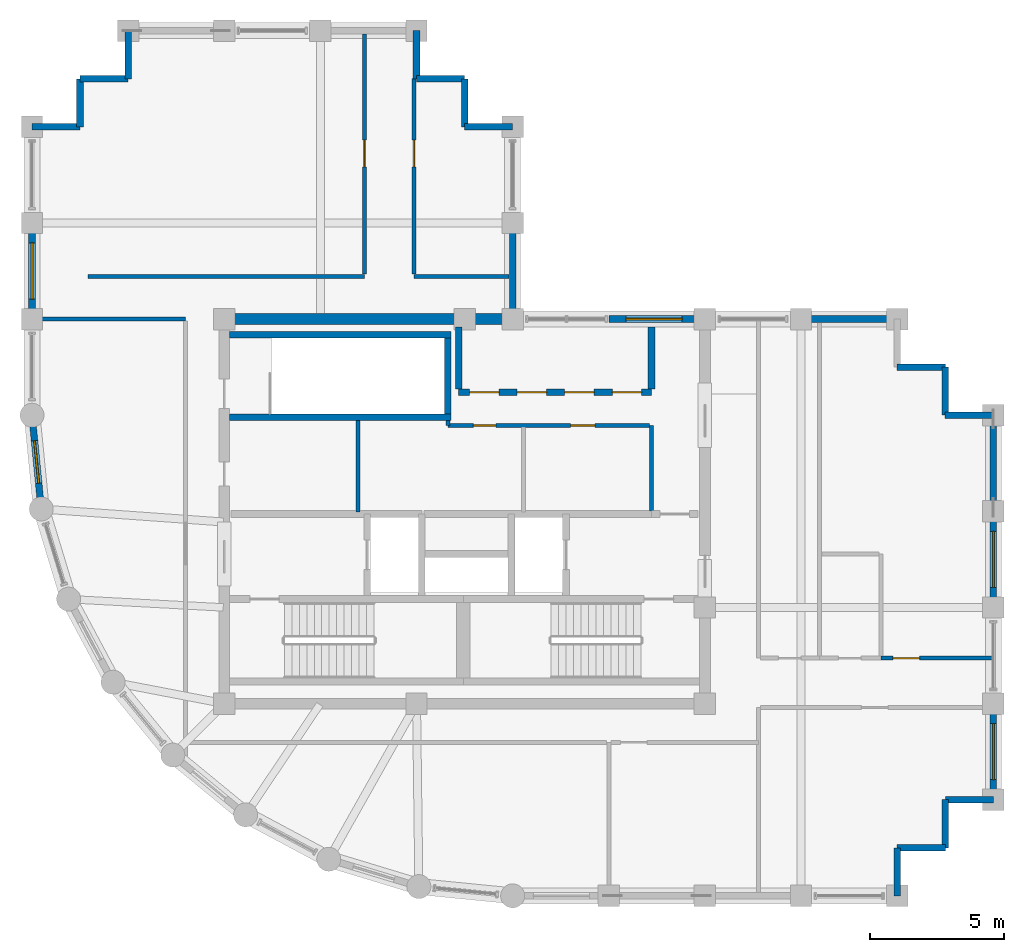
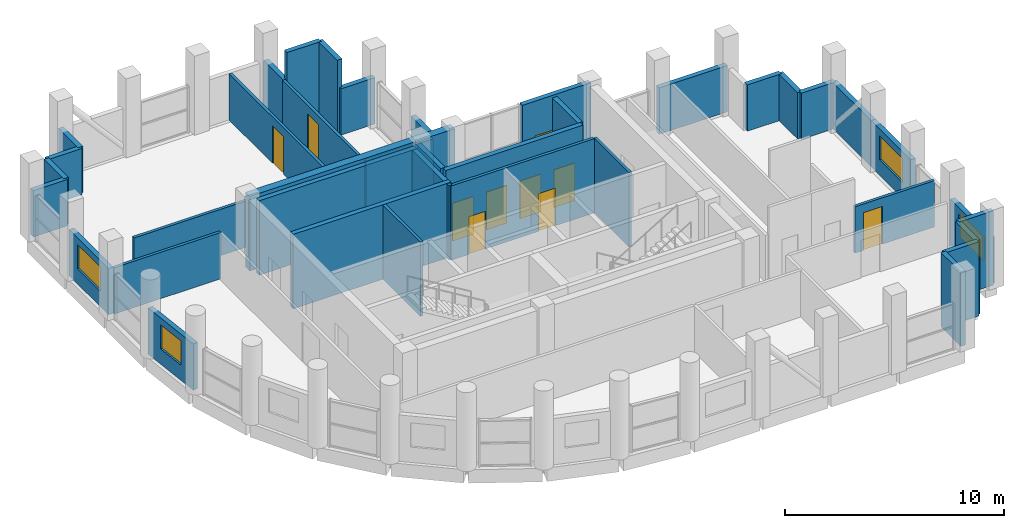
# One storey, part 12 of 14: 40 walls, 9 doors, 5 windows, 14 openings.
"""IFC4 building model written with IfcOpenShell, lengths in metres."""

from ifc_helpers import new_model, si_unit, direction, frame, frame_2d, origin, place, context, subcontext, project, spatial, rectangle, extrude, material, layer, layer_set, type_object, element, fill, save


model = new_model("IFC4")

# Units and contexts
model_context = context("Model", 3, precision=1e-05, world=origin(), true_north=direction((0.0, 1.0)))
body_context = subcontext(model_context, "Body", "Model", "MODEL_VIEW")
ifc_project = project(units=[si_unit("LENGTHUNIT", "METRE"), si_unit("AREAUNIT", "SQUARE_METRE"), si_unit("VOLUMEUNIT", "CUBIC_METRE"), si_unit("PLANEANGLEUNIT", "RADIAN"), si_unit("MASSUNIT", "GRAM", prefix="KILO")], contexts=[model_context])

# Site, building, storey
site_placement = place(None, origin())
site = spatial("IfcSite", under=ifc_project, at=site_placement, CompositionType="ELEMENT")
building_placement = place(site_placement, origin())
building = spatial("IfcBuilding", under=site, at=building_placement, Name="Solnavia Interchange Tower", CompositionType="ELEMENT")
storey_placement = place(building_placement, frame((0.0, 0.0, 299.800048828125)))
storey = spatial("IfcBuildingStorey", under=building, at=storey_placement, Name="L76", CompositionType="ELEMENT", Elevation=299.800048828125)

# Walls
ifc_material_1 = material(Name="Concrete C40/50", Category="concrete")
ifc_layer_1 = layer(ifc_material_1, 0.25)
ifc_layer_set_1 = layer_set([ifc_layer_1], Name="Concrete C40/50")
wall_type_1 = type_object("IfcWallType", Name="Wall-ExtSpandrel-250", PredefinedType="STANDARD", material=ifc_layer_set_1)
for number, where, z_axis, x_axis, name in (
    (1, (39.60009765625, 5.39990234375, 0.0), (0.0, 0.0, 1.0), (0.0, -1.0, 0.0), "EXW-L76-05 Exterior precast spandrel wall"),
    (2, (41.39990234375, 5.39990234375, 0.0), (0.0, 0.0, 1.0), (-1.0, 0.0, 0.0), "EXW-L76-06 Exterior precast spandrel wall"),
):
    element("IfcWall", number, at=place(storey_placement, frame(where, z_axis=z_axis, x_axis=x_axis)), inside=storey, type_object=wall_type_1, Name=name, PredefinedType="STANDARD", context=body_context, shape_type="SweptSolid", body=[
        extrude(rectangle(XDim=1.7998046875, YDim=0.25, at=frame_2d((0.89990234375, 0.0))), origin(), (0.0, 0.0, 1.0), 4.135009765625),
    ])
for number, where, z_axis, x_axis, name in (
    (3, (41.39990234375, 7.199951171875, 0.0), (0.0, 0.0, 1.0), (0.0, -1.0, 0.0), "EXW-L76-07 Exterior precast spandrel wall"),
    (4, (43.199951171875, 7.199951171875, 0.0), (0.0, 0.0, 1.0), (-1.0, 0.0, 0.0), "EXW-L76-08 Exterior precast spandrel wall"),
):
    element("IfcWall", number, at=place(storey_placement, frame(where, z_axis=z_axis, x_axis=x_axis)), inside=storey, type_object=wall_type_1, Name=name, PredefinedType="STANDARD", context=body_context, shape_type="SweptSolid", body=[
        extrude(rectangle(XDim=1.800048828125, YDim=0.25, at=frame_2d((0.89990234375, 0.0))), origin(), (0.0, 0.0, 1.0), 4.135009765625),
    ])

# Wall, opening, window
wall_1_placement = place(storey_placement, frame((43.199951171875, 10.800048828125, 0.0), z_axis=(0.0, 0.0, 1.0), x_axis=(0.0, -1.0, 0.0)))
wall_1 = element("IfcWall", 5, at=wall_1_placement, inside=storey, type_object=wall_type_1, Name="EXW-L76-09 Exterior precast spandrel wall", PredefinedType="STANDARD", context=body_context, shape_type="SweptSolid", body=[
    extrude(rectangle(XDim=3.60009765625, YDim=0.25, at=frame_2d((1.800048828125, 0.0))), origin(), (0.0, 0.0, 1.0), 2.579833984375),
])
opening_1_placement = place(wall_1_placement, frame((0.75, 0.0, 0.85009765625)))
opening_1 = element("IfcOpeningElement", 6, at=opening_1_placement, cuts=wall_1, Name="Opening WIN-01", PredefinedType="OPENING", context=body_context, shape_type="SweptSolid", body=[
    extrude(rectangle(XDim=2.10009765625, YDim=1.35009765625, at=frame_2d((1.050048828125, 0.675048828125))), frame((0.0, 0.135009765625, 0.0), z_axis=(0.0, -1.0, 0.0), x_axis=(1.0, 0.0, 0.0)), (0.0, 0.0, 1.0), 0.27001953125),
])
ifc_material_2 = material(Name="Thermal-Break Aluminium & Low-E Glass", Category="aluminium")
window_type_1 = type_object("IfcWindowType", Name="Window-Ribbon-2100x1350", PartitioningType="SINGLE_PANEL", PredefinedType="WINDOW", material=ifc_material_2)
window_1_placement = place(opening_1_placement, origin())
window_1 = element("IfcWindow", 7, at=window_1_placement, inside=storey, type_object=window_type_1, Name="WIN-L76-09 Facade ribbon window", OverallHeight=1.35009765625, OverallWidth=2.10009765625, PartitioningType="SINGLE_PANEL", PredefinedType="WINDOW", context=body_context, shape_type="SweptSolid", body=[
    extrude(rectangle(XDim=2.10009765625, YDim=1.35009765625, at=frame_2d((1.050048828125, 0.675048828125))), frame((0.0, 0.030029296875, 0.0), z_axis=(0.0, -1.0, 0.0), x_axis=(1.0, 0.0, 0.0)), (0.0, 0.0, 1.0), 0.06005859375),
])
fill(opening_1, window_1)

wall_2_placement = place(storey_placement, frame((43.199951171875, 18.0, 0.0), z_axis=(0.0, 0.0, 1.0), x_axis=(0.0, -1.0, 0.0)))
wall_2 = element("IfcWall", 8, at=wall_2_placement, inside=storey, type_object=wall_type_1, Name="EXW-L76-11 Exterior precast spandrel wall", PredefinedType="STANDARD", context=body_context, shape_type="SweptSolid", body=[
    extrude(rectangle(XDim=3.60009765625, YDim=0.25, at=frame_2d((1.800048828125, 0.0))), origin(), (0.0, 0.0, 1.0), 2.579833984375),
])
opening_2_placement = place(wall_2_placement, frame((0.75, 0.0, 0.85009765625)))
opening_2 = element("IfcOpeningElement", 9, at=opening_2_placement, cuts=wall_2, Name="Opening WIN-01", PredefinedType="OPENING", context=body_context, shape_type="SweptSolid", body=[
    extrude(rectangle(XDim=2.10009765625, YDim=1.35009765625, at=frame_2d((1.050048828125, 0.675048828125))), frame((0.0, 0.135009765625, 0.0), z_axis=(0.0, -1.0, 0.0), x_axis=(1.0, 0.0, 0.0)), (0.0, 0.0, 1.0), 0.27001953125),
])
window_2_placement = place(opening_2_placement, origin())
window_2 = element("IfcWindow", 10, at=window_2_placement, inside=storey, type_object=window_type_1, Name="WIN-L76-11 Facade ribbon window", OverallHeight=1.35009765625, OverallWidth=2.10009765625, PartitioningType="SINGLE_PANEL", PredefinedType="WINDOW", context=body_context, shape_type="SweptSolid", body=[
    extrude(rectangle(XDim=2.10009765625, YDim=1.35009765625, at=frame_2d((1.050048828125, 0.675048828125))), frame((0.0, 0.030029296875, 0.0), z_axis=(0.0, -1.0, 0.0), x_axis=(1.0, 0.0, 0.0)), (0.0, 0.0, 1.0), 0.06005859375),
])
fill(opening_2, window_2)

# Walls
wall_3_placement = place(storey_placement, frame((43.199951171875, 21.60009765625, 0.0), z_axis=(0.0, 0.0, 1.0), x_axis=(0.0, -1.0, 0.0)))
element("IfcWall", 11, at=wall_3_placement, inside=storey, type_object=wall_type_1, Name="EXW-L76-12 Exterior precast spandrel wall", PredefinedType="STANDARD", context=body_context, shape_type="SweptSolid", body=[
    extrude(rectangle(XDim=3.60009765625, YDim=0.25, at=frame_2d((1.800048828125, 0.0))), origin(), (0.0, 0.0, 1.0), 2.579833984375),
])
wall_4_placement = place(storey_placement, frame((41.39990234375, 21.60009765625, 0.0), z_axis=(0.0, 0.0, 1.0), x_axis=(1.0, 0.0, 0.0)))
element("IfcWall", 12, at=wall_4_placement, inside=storey, type_object=wall_type_1, Name="EXW-L76-13 Exterior precast spandrel wall", PredefinedType="STANDARD", context=body_context, shape_type="SweptSolid", body=[
    extrude(rectangle(XDim=1.800048828125, YDim=0.25, at=frame_2d((0.89990234375, 0.0))), origin(), (0.0, 0.0, 1.0), 2.579833984375),
])
for number, where, z_axis, x_axis, name in (
    (13, (41.39990234375, 23.39990234375, 0.0), (0.0, 0.0, 1.0), (0.0, -1.0, 0.0), "EXW-L76-14 Exterior precast spandrel wall"),
    (14, (39.60009765625, 23.39990234375, 0.0), (0.0, 0.0, 1.0), (1.0, 0.0, 0.0), "EXW-L76-15 Exterior precast spandrel wall"),
):
    element("IfcWall", number, at=place(storey_placement, frame(where, z_axis=z_axis, x_axis=x_axis)), inside=storey, type_object=wall_type_1, Name=name, PredefinedType="STANDARD", context=body_context, shape_type="SweptSolid", body=[
        extrude(rectangle(XDim=1.7998046875, YDim=0.25, at=frame_2d((0.89990234375, 0.0))), origin(), (0.0, 0.0, 1.0), 2.579833984375),
    ])
wall_5_placement = place(storey_placement, frame((36.0, 25.199951171875, 0.0), z_axis=(0.0, 0.0, 1.0), x_axis=(1.0, 0.0, 0.0)))
element("IfcWall", 15, at=wall_5_placement, inside=storey, type_object=wall_type_1, Name="EXW-L76-17 Exterior precast spandrel wall", PredefinedType="STANDARD", context=body_context, shape_type="SweptSolid", body=[
    extrude(rectangle(XDim=3.60009765625, YDim=0.25, at=frame_2d((1.800048828125, 0.0))), origin(), (0.0, 0.0, 1.0), 2.579833984375),
])

# Wall, opening, window
wall_6_placement = place(storey_placement, frame((28.800048828125, 25.199951171875, 0.0), z_axis=(0.0, 0.0, 1.0), x_axis=(1.0, 0.0, 0.0)))
wall_6 = element("IfcWall", 16, at=wall_6_placement, inside=storey, type_object=wall_type_1, Name="EXW-L76-19 Exterior precast spandrel wall", PredefinedType="STANDARD", context=body_context, shape_type="SweptSolid", body=[
    extrude(rectangle(XDim=3.599853515625, YDim=0.25, at=frame_2d((1.7998046875, 0.0))), origin(), (0.0, 0.0, 1.0), 4.135009765625),
])
opening_3_placement = place(wall_6_placement, frame((0.64501953125, 0.0, 0.85009765625)))
opening_3 = element("IfcOpeningElement", 17, at=opening_3_placement, cuts=wall_6, Name="Opening WIN-01", PredefinedType="OPENING", context=body_context, shape_type="SweptSolid", body=[
    extrude(rectangle(XDim=2.10009765625, YDim=1.35009765625, at=frame_2d((1.050048828125, 0.675048828125))), frame((0.0, 0.135009765625, 0.0), z_axis=(0.0, -1.0, 0.0), x_axis=(1.0, 0.0, 0.0)), (0.0, 0.0, 1.0), 0.27001953125),
])
window_3_placement = place(opening_3_placement, origin())
window_3 = element("IfcWindow", 18, at=window_3_placement, inside=storey, type_object=window_type_1, Name="WIN-L76-19 Facade ribbon window", OverallHeight=1.35009765625, OverallWidth=2.10009765625, PartitioningType="SINGLE_PANEL", PredefinedType="WINDOW", context=body_context, shape_type="SweptSolid", body=[
    extrude(rectangle(XDim=2.10009765625, YDim=1.35009765625, at=frame_2d((1.050048828125, 0.675048828125))), frame((0.0, 0.030029296875, 0.0), z_axis=(0.0, -1.0, 0.0), x_axis=(1.0, 0.0, 0.0)), (0.0, 0.0, 1.0), 0.06005859375),
])
fill(opening_3, window_3)

# Walls
wall_7_placement = place(storey_placement, frame((25.199951171875, 28.800048828125, 0.0), z_axis=(0.0, 0.0, 1.0), x_axis=(0.0, -1.0, 0.0)))
element("IfcWall", 19, at=wall_7_placement, inside=storey, type_object=wall_type_1, Name="EXW-L76-21 Exterior precast spandrel wall", PredefinedType="STANDARD", context=body_context, shape_type="SweptSolid", body=[
    extrude(rectangle(XDim=3.60009765625, YDim=0.25, at=frame_2d((1.800048828125, 0.0))), origin(), (0.0, 0.0, 1.0), 2.579833984375),
])
wall_8_placement = place(storey_placement, frame((23.39990234375, 32.39990234375, 0.0), z_axis=(0.0, 0.0, 1.0), x_axis=(1.0, 0.0, 0.0)))
element("IfcWall", 20, at=wall_8_placement, inside=storey, type_object=wall_type_1, Name="EXW-L76-23 Exterior precast spandrel wall", PredefinedType="STANDARD", context=body_context, shape_type="SweptSolid", body=[
    extrude(rectangle(XDim=1.800048828125, YDim=0.25, at=frame_2d((0.89990234375, 0.0))), origin(), (0.0, 0.0, 1.0), 2.579833984375),
])
wall_9_placement = place(storey_placement, frame((23.39990234375, 32.39990234375, 0.0), z_axis=(0.0, 0.0, 1.0), x_axis=(0.0, 1.0, 0.0)))
element("IfcWall", 21, at=wall_9_placement, inside=storey, type_object=wall_type_1, Name="EXW-L76-24 Exterior precast spandrel wall", PredefinedType="STANDARD", context=body_context, shape_type="SweptSolid", body=[
    extrude(rectangle(XDim=1.800048828125, YDim=0.25, at=frame_2d((0.89990234375, 0.0))), origin(), (0.0, 0.0, 1.0), 4.135009765625),
])
wall_10_placement = place(storey_placement, frame((21.60009765625, 34.199951171875, 0.0), z_axis=(0.0, 0.0, 1.0), x_axis=(1.0, 0.0, 0.0)))
element("IfcWall", 22, at=wall_10_placement, inside=storey, type_object=wall_type_1, Name="EXW-L76-25 Exterior precast spandrel wall", PredefinedType="STANDARD", context=body_context, shape_type="SweptSolid", body=[
    extrude(rectangle(XDim=1.7998046875, YDim=0.25, at=frame_2d((0.89990234375, 0.0))), origin(), (0.0, 0.0, 1.0), 4.135009765625),
])
for number, where, z_axis, x_axis, name in (
    (23, (21.60009765625, 34.199951171875, 0.0), (0.0, 0.0, 1.0), (0.0, 1.0, 0.0), "EXW-L76-26 Exterior precast spandrel wall"),
    (24, (10.800048828125, 34.199951171875, 0.0), (0.0, 0.0, 1.0), (0.0, 1.0, 0.0), "EXW-L76-30 Exterior precast spandrel wall"),
    (25, (9.0, 34.199951171875, 0.0), (0.0, 0.0, 1.0), (1.0, 0.0, 0.0), "EXW-L76-31 Exterior precast spandrel wall"),
    (26, (9.0, 32.39990234375, 0.0), (0.0, 0.0, 1.0), (0.0, 1.0, 0.0), "EXW-L76-32 Exterior precast spandrel wall"),
    (27, (7.199951171875, 32.39990234375, 0.0), (0.0, 0.0, 1.0), (1.0, 0.0, 0.0), "EXW-L76-33 Exterior precast spandrel wall"),
):
    element("IfcWall", number, at=place(storey_placement, frame(where, z_axis=z_axis, x_axis=x_axis)), inside=storey, type_object=wall_type_1, Name=name, PredefinedType="STANDARD", context=body_context, shape_type="SweptSolid", body=[
        extrude(rectangle(XDim=1.800048828125, YDim=0.25, at=frame_2d((0.89990234375, 0.0))), origin(), (0.0, 0.0, 1.0), 2.579833984375),
    ])

# Wall, opening, window
wall_11_placement = place(storey_placement, frame((7.199951171875, 25.199951171875, 0.0), z_axis=(0.0, 0.0, 1.0), x_axis=(0.0, 1.0, 0.0)))
wall_11 = element("IfcWall", 28, at=wall_11_placement, inside=storey, type_object=wall_type_1, Name="EXW-L76-35 Exterior precast spandrel wall", PredefinedType="STANDARD", context=body_context, shape_type="SweptSolid", body=[
    extrude(rectangle(XDim=3.60009765625, YDim=0.25, at=frame_2d((1.800048828125, 0.0))), origin(), (0.0, 0.0, 1.0), 2.579833984375),
])
opening_4_placement = place(wall_11_placement, frame((0.75, 0.0, 0.85009765625)))
opening_4 = element("IfcOpeningElement", 29, at=opening_4_placement, cuts=wall_11, Name="Opening WIN-01", PredefinedType="OPENING", context=body_context, shape_type="SweptSolid", body=[
    extrude(rectangle(XDim=2.10009765625, YDim=1.35009765625, at=frame_2d((1.050048828125, 0.675048828125))), frame((0.0, 0.135009765625, 0.0), z_axis=(0.0, -1.0, 0.0), x_axis=(1.0, 0.0, 0.0)), (0.0, 0.0, 1.0), 0.27001953125),
])
window_4_placement = place(opening_4_placement, origin())
window_4 = element("IfcWindow", 30, at=window_4_placement, inside=storey, type_object=window_type_1, Name="WIN-L76-35 Facade ribbon window", OverallHeight=1.35009765625, OverallWidth=2.10009765625, PartitioningType="SINGLE_PANEL", PredefinedType="WINDOW", context=body_context, shape_type="SweptSolid", body=[
    extrude(rectangle(XDim=2.10009765625, YDim=1.35009765625, at=frame_2d((1.050048828125, 0.675048828125))), frame((0.0, 0.030029296875, 0.0), z_axis=(0.0, -1.0, 0.0), x_axis=(1.0, 0.0, 0.0)), (0.0, 0.0, 1.0), 0.06005859375),
])
fill(opening_4, window_4)

wall_12_placement = place(storey_placement, frame((7.5458984375, 18.087890625, 0.0), z_axis=(0.0, 0.0, 1.0), x_axis=(-0.09802417461, 0.995184033831, 0.0)))
wall_12 = element("IfcWall", 31, at=wall_12_placement, inside=storey, type_object=wall_type_1, Name="EXW-L76-37 Exterior precast spandrel wall", PredefinedType="STANDARD", context=body_context, shape_type="SweptSolid", body=[
    extrude(rectangle(XDim=3.529296875, YDim=0.25, at=frame_2d((1.7646484375, 0.0))), origin(), (0.0, 0.0, 1.0), 2.579833984375),
])
opening_5_placement = place(wall_12_placement, frame((0.965087890625, 0.0, 0.85009765625)))
opening_5 = element("IfcOpeningElement", 32, at=opening_5_placement, cuts=wall_12, Name="Opening WIN-04", PredefinedType="OPENING", context=body_context, shape_type="SweptSolid", body=[
    extrude(rectangle(XDim=1.60009765625, YDim=1.35009765625, at=frame_2d((0.800048828125, 0.675048828125))), frame((0.0, 0.135009765625, 0.0), z_axis=(0.0, -1.0, 0.0), x_axis=(1.0, 0.0, 0.0)), (0.0, 0.0, 1.0), 0.27001953125),
])
window_type_2 = type_object("IfcWindowType", Name="Window-Drum-1600x1350", PartitioningType="SINGLE_PANEL", PredefinedType="WINDOW", material=ifc_material_2)
window_5_placement = place(opening_5_placement, origin())
window_5 = element("IfcWindow", 33, at=window_5_placement, inside=storey, type_object=window_type_2, Name="WIN-L76-37 Facade ribbon window", OverallHeight=1.35009765625, OverallWidth=1.60009765625, PartitioningType="SINGLE_PANEL", PredefinedType="WINDOW", context=body_context, shape_type="SweptSolid", body=[
    extrude(rectangle(XDim=1.60009765625, YDim=1.35009765625, at=frame_2d((0.800048828125, 0.675048828125))), frame((0.0, 0.030029296875, 0.0), z_axis=(0.0, -1.0, 0.0), x_axis=(1.0, 0.0, 0.0)), (0.0, 0.0, 1.0), 0.06005859375),
])
fill(opening_5, window_5)

# Wall, openings, doors
ifc_material_3 = material(Name="Gypsum Plasterboard & Steel Stud", Category="steel")
ifc_layer_2 = layer(ifc_material_3, 0.14990234375)
ifc_layer_set_2 = layer_set([ifc_layer_2], Name="Gypsum Plasterboard & Steel Stud")
wall_type_2 = type_object("IfcWallType", Name="Wall-Partition-150", PredefinedType="PARTITIONING", material=ifc_layer_set_2)
wall_13_placement = place(storey_placement, frame((22.77490234375, 21.219970703125, 0.0), z_axis=(0.0, 0.0, 1.0), x_axis=(1.0, 0.0, 0.0)))
wall_13 = element("IfcWall", 34, at=wall_13_placement, inside=storey, type_object=wall_type_2, Name="CSW-L76-N-ALL Core shaft wall", PredefinedType="PARTITIONING", context=body_context, shape_type="SweptSolid", body=[
    extrude(rectangle(XDim=7.545166015625, YDim=0.14990234375, at=frame_2d((3.7724609375, 0.0))), origin(), (0.0, 0.0, 1.0), 4.135009765625),
])
opening_6_placement = place(wall_13_placement, frame((0.949951171875, 0.0, 0.0)))
opening_6 = element("IfcOpeningElement", 35, at=opening_6_placement, cuts=wall_13, Name="Opening DR-10", PredefinedType="OPENING", context=body_context, shape_type="SweptSolid", body=[
    extrude(rectangle(XDim=0.85009765625, YDim=2.10009765625, at=frame_2d((0.425048828125, 1.050048828125))), frame((0.0, 0.0849609375, 0.0), z_axis=(0.0, -1.0, 0.0), x_axis=(1.0, 0.0, 0.0)), (0.0, 0.0, 1.0), 0.169921875),
])
opening_7_placement = place(wall_13_placement, frame((4.60009765625, 0.0, 0.0)))
opening_7 = element("IfcOpeningElement", 36, at=opening_7_placement, cuts=wall_13, Name="Opening DR-09", PredefinedType="OPENING", context=body_context, shape_type="SweptSolid", body=[
    extrude(rectangle(XDim=0.89990234375, YDim=2.10009765625, at=frame_2d((0.449951171875, 1.050048828125))), frame((0.0, 0.0849609375, 0.0), z_axis=(0.0, -1.0, 0.0), x_axis=(1.0, 0.0, 0.0)), (0.0, 0.0, 1.0), 0.169921875),
])
ifc_material_4 = material(Name="Moisture-Resistant Timber Door", Category="wood")
door_type_1 = type_object("IfcDoorType", Name="Door-Bathroom-850x2100", OperationType="SINGLE_SWING_RIGHT", PredefinedType="DOOR", material=ifc_material_4)
door_1_placement = place(opening_6_placement, origin())
door_1 = element("IfcDoor", 37, at=door_1_placement, inside=storey, type_object=door_type_1, Name="DR-L76-CS2 Core fire door", OperationType="SINGLE_SWING_LEFT", OverallHeight=2.10009765625, OverallWidth=0.85009765625, PredefinedType="DOOR", context=body_context, shape_type="SweptSolid", body=[
    extrude(rectangle(XDim=0.85009765625, YDim=2.10009765625, at=frame_2d((0.425048828125, 1.050048828125))), frame((0.0, 0.02490234375, 0.0), z_axis=(0.0, -1.0, 0.0), x_axis=(1.0, 0.0, 0.0)), (0.0, 0.0, 1.0), 0.050048828125),
])
fill(opening_6, door_1)
ifc_material_5 = material(Name="Engineered Oak Veneer Door", Category="wood")
door_type_2 = type_object("IfcDoorType", Name="Door-Internal-900x2100", OperationType="SINGLE_SWING_LEFT", PredefinedType="DOOR", material=ifc_material_5)
door_2_placement = place(opening_7_placement, origin())
door_2 = element("IfcDoor", 38, at=door_2_placement, inside=storey, type_object=door_type_2, Name="DR-L76-CS3 Core fire door", OperationType="SINGLE_SWING_RIGHT", OverallHeight=2.10009765625, OverallWidth=0.89990234375, PredefinedType="DOOR", context=body_context, shape_type="SweptSolid", body=[
    extrude(rectangle(XDim=0.89990234375, YDim=2.10009765625, at=frame_2d((0.449951171875, 1.050048828125))), frame((0.0, 0.02490234375, 0.0), z_axis=(0.0, -1.0, 0.0), x_axis=(1.0, 0.0, 0.0)), (0.0, 0.0, 1.0), 0.050048828125),
])
fill(opening_7, door_2)

# Walls
wall_14_placement = place(storey_placement, frame((22.77490234375, 21.219970703125, 0.0), z_axis=(0.0, 0.0, 1.0), x_axis=(0.0, 1.0, 0.0)))
element("IfcWall", 39, at=wall_14_placement, inside=storey, type_object=wall_type_2, Name="CSW-L76-ST-TIE Core shaft wall", PredefinedType="PARTITIONING", context=body_context, shape_type="SweptSolid", body=[
    extrude(rectangle(XDim=0.175048828125, YDim=0.14990234375, at=frame_2d((0.08740234375, 0.0))), origin(), (0.0, 0.0, 1.0), 4.135009765625),
])
wall_15_placement = place(storey_placement, frame((30.39990234375, 18.02001953125, 0.0), z_axis=(0.0, 0.0, 1.0), x_axis=(0.0, 1.0, 0.0)))
element("IfcWall", 40, at=wall_15_placement, inside=storey, type_object=wall_type_2, Name="CSW-L76-E-E Core shaft wall", PredefinedType="PARTITIONING", context=body_context, shape_type="SweptSolid", body=[
    extrude(rectangle(XDim=3.199951171875, YDim=0.14990234375, at=frame_2d((1.60009765625, 0.0))), origin(), (0.0, 0.0, 1.0), 4.135009765625),
])
wall_16_placement = place(storey_placement, frame((19.39990234375, 17.97998046875, 0.0), z_axis=(0.0, 0.0, 1.0), x_axis=(0.0, 1.0, 0.0)))
element("IfcWall", 41, at=wall_16_placement, inside=storey, type_object=wall_type_2, Name="CSW-L76-M1 Core shaft wall", PredefinedType="PARTITIONING", context=body_context, shape_type="SweptSolid", body=[
    extrude(rectangle(XDim=3.419921875, YDim=0.14990234375, at=frame_2d((1.7099609375, 0.0))), origin(), (0.0, 0.0, 1.0), 4.135009765625),
])
wall_17_placement = place(storey_placement, frame((7.3291015625, 25.199951171875, 0.0), z_axis=(0.0, 0.0, 1.0), x_axis=(1.0, 0.0, 0.0)))
element("IfcWall", 42, at=wall_17_placement, inside=storey, type_object=wall_type_2, Name="PTW-L76-07 Interior partition wall", PredefinedType="PARTITIONING", context=body_context, shape_type="SweptSolid", body=[
    extrude(rectangle(XDim=5.620849609375, YDim=0.14990234375, at=frame_2d((2.810546875, 0.0))), origin(), (0.0, 0.0, 1.0), 2.579833984375),
])

# Wall, opening, door
wall_18_placement = place(storey_placement, frame((39.0, 12.5, 0.0), z_axis=(0.0, 0.0, 1.0), x_axis=(1.0, 0.0, 0.0)))
wall_18 = element("IfcWall", 43, at=wall_18_placement, inside=storey, type_object=wall_type_2, Name="PTW-L76-14 Interior partition wall", PredefinedType="PARTITIONING", context=body_context, shape_type="SweptSolid", body=[
    extrude(rectangle(XDim=4.199951171875, YDim=0.14990234375, at=frame_2d((2.10009765625, 0.0))), origin(), (0.0, 0.0, 1.0), 2.579833984375),
])
opening_8_placement = place(wall_18_placement, frame((0.43798828125, 0.0, 0.0)))
opening_8 = element("IfcOpeningElement", 44, at=opening_8_placement, cuts=wall_18, Name="Opening DR-07", PredefinedType="OPENING", context=body_context, shape_type="SweptSolid", body=[
    extrude(rectangle(XDim=1.0, YDim=2.10009765625, at=frame_2d((0.5, 1.050048828125))), frame((0.0, 0.0849609375, 0.0), z_axis=(0.0, -1.0, 0.0), x_axis=(1.0, 0.0, 0.0)), (0.0, 0.0, 1.0), 0.169921875),
])
ifc_material_6 = material(Name="Timber & Acoustic Glazed Office Door", Category="wood")
door_type_3 = type_object("IfcDoorType", Name="Door-Office-1000x2100", OperationType="SINGLE_SWING_RIGHT", PredefinedType="DOOR", material=ifc_material_6)
door_3_placement = place(opening_8_placement, origin())
door_3 = element("IfcDoor", 45, at=door_3_placement, inside=storey, type_object=door_type_3, Name="DR-L76-06 Interior room door", OperationType="SINGLE_SWING_RIGHT", OverallHeight=2.10009765625, OverallWidth=1.0, PredefinedType="DOOR", context=body_context, shape_type="SweptSolid", body=[
    extrude(rectangle(XDim=1.0, YDim=2.10009765625, at=frame_2d((0.5, 1.050048828125))), frame((0.0, 0.02490234375, 0.0), z_axis=(0.0, -1.0, 0.0), x_axis=(1.0, 0.0, 0.0)), (0.0, 0.0, 1.0), 0.050048828125),
])
fill(opening_8, door_3)

# Wall
wall_19_placement = place(storey_placement, frame((9.300048828125, 26.800048828125, 0.0), z_axis=(0.0, 0.0, 1.0), x_axis=(1.0, 0.0, 0.0)))
element("IfcWall", 46, at=wall_19_placement, inside=storey, type_object=wall_type_2, Name="PTW-L76-15 Interior partition wall", PredefinedType="PARTITIONING", context=body_context, shape_type="SweptSolid", body=[
    extrude(rectangle(XDim=10.349853515625, YDim=0.14990234375, at=frame_2d((5.1748046875, 0.0))), origin(), (0.0, 0.0, 1.0), 2.579833984375),
])

# Wall, opening, door
wall_20_placement = place(storey_placement, frame((19.64990234375, 26.87890625, 0.0), z_axis=(0.0, 0.0, 1.0), x_axis=(0.0, 1.0, 0.0)))
wall_20 = element("IfcWall", 47, at=wall_20_placement, inside=storey, type_object=wall_type_2, Name="PTW-L76-16 Interior partition wall", PredefinedType="PARTITIONING", context=body_context, shape_type="SweptSolid", body=[
    extrude(rectangle(XDim=8.9921875, YDim=0.14990234375, at=frame_2d((4.49609375, 0.0))), origin(), (0.0, 0.0, 1.0), 2.579833984375),
])
opening_9_placement = place(wall_20_placement, frame((4.02099609375, 0.0, 0.0)))
opening_9 = element("IfcOpeningElement", 48, at=opening_9_placement, cuts=wall_20, Name="Opening DR-07", PredefinedType="OPENING", context=body_context, shape_type="SweptSolid", body=[
    extrude(rectangle(XDim=1.0, YDim=2.10009765625, at=frame_2d((0.5, 1.050048828125))), frame((0.0, 0.0849609375, 0.0), z_axis=(0.0, -1.0, 0.0), x_axis=(1.0, 0.0, 0.0)), (0.0, 0.0, 1.0), 0.169921875),
])
door_4_placement = place(opening_9_placement, origin())
door_4 = element("IfcDoor", 49, at=door_4_placement, inside=storey, type_object=door_type_3, Name="DR-L76-07 Interior room door", OperationType="SINGLE_SWING_RIGHT", OverallHeight=2.10009765625, OverallWidth=1.0, PredefinedType="DOOR", context=body_context, shape_type="SweptSolid", body=[
    extrude(rectangle(XDim=1.0, YDim=2.10009765625, at=frame_2d((0.5, 1.050048828125))), frame((0.0, 0.02490234375, 0.0), z_axis=(0.0, -1.0, 0.0), x_axis=(1.0, 0.0, 0.0)), (0.0, 0.0, 1.0), 0.050048828125),
])
fill(opening_9, door_4)

# Wall
wall_21_placement = place(storey_placement, frame((21.5, 26.800048828125, 0.0), z_axis=(0.0, 0.0, 1.0), x_axis=(1.0, 0.0, 0.0)))
element("IfcWall", 50, at=wall_21_placement, inside=storey, type_object=wall_type_2, Name="PTW-L76-17 Interior partition wall", PredefinedType="PARTITIONING", context=body_context, shape_type="SweptSolid", body=[
    extrude(rectangle(XDim=3.571044921875, YDim=0.14990234375, at=frame_2d((1.78564453125, 0.0))), origin(), (0.0, 0.0, 1.0), 2.579833984375),
])

# Wall, opening, door
wall_22_placement = place(storey_placement, frame((21.5, 26.87890625, 0.0), z_axis=(0.0, 0.0, 1.0), x_axis=(0.0, 1.0, 0.0)))
wall_22 = element("IfcWall", 51, at=wall_22_placement, inside=storey, type_object=wall_type_2, Name="PTW-L76-18 Interior partition wall", PredefinedType="PARTITIONING", context=body_context, shape_type="SweptSolid", body=[
    extrude(rectangle(XDim=7.321044921875, YDim=0.14990234375, at=frame_2d((3.66064453125, 0.0))), origin(), (0.0, 0.0, 1.0), 2.579833984375),
])
opening_10_placement = place(wall_22_placement, frame((4.02099609375, 0.0, 0.0)))
opening_10 = element("IfcOpeningElement", 52, at=opening_10_placement, cuts=wall_22, Name="Opening DR-07", PredefinedType="OPENING", context=body_context, shape_type="SweptSolid", body=[
    extrude(rectangle(XDim=1.0, YDim=2.10009765625, at=frame_2d((0.5, 1.050048828125))), frame((0.0, 0.0849609375, 0.0), z_axis=(0.0, -1.0, 0.0), x_axis=(1.0, 0.0, 0.0)), (0.0, 0.0, 1.0), 0.169921875),
])
door_5_placement = place(opening_10_placement, origin())
door_5 = element("IfcDoor", 53, at=door_5_placement, inside=storey, type_object=door_type_3, Name="DR-L76-08 Interior room door", OperationType="SINGLE_SWING_LEFT", OverallHeight=2.10009765625, OverallWidth=1.0, PredefinedType="DOOR", context=body_context, shape_type="SweptSolid", body=[
    extrude(rectangle(XDim=1.0, YDim=2.10009765625, at=frame_2d((0.5, 1.050048828125))), frame((0.0, 0.02490234375, 0.0), z_axis=(0.0, -1.0, 0.0), x_axis=(1.0, 0.0, 0.0)), (0.0, 0.0, 1.0), 0.050048828125),
])
fill(opening_10, door_5)

# Walls
ifc_layer_3 = layer(ifc_material_1, 0.25)
ifc_layer_set_3 = layer_set([ifc_layer_3], Name="Concrete C40/50")
wall_type_3 = type_object("IfcWallType", Name="Wall-ShaftCore-250", PredefinedType="SHEAR", material=ifc_layer_set_3)
for number, where, z_axis, x_axis, name in (
    (54, (14.60009765625, 21.52490234375, 0.0), (0.0, 0.0, 1.0), (1.0, 0.0, 0.0), "SHW-L76-ST3S Core shear wall"),
    (55, (14.60009765625, 24.614990234375, 0.0), (0.0, 0.0, 1.0), (1.0, 0.0, 0.0), "SHW-L76-ST3N Core shear wall"),
):
    element("IfcWall", number, at=place(storey_placement, frame(where, z_axis=z_axis, x_axis=x_axis)), inside=storey, type_object=wall_type_3, Name=name, PredefinedType="SHEAR", context=body_context, shape_type="SweptSolid", body=[
        extrude(rectangle(XDim=8.2998046875, YDim=0.25, at=frame_2d((4.14990234375, 0.0))), origin(), (0.0, 0.0, 1.0), 4.14990234375),
    ])
wall_23_placement = place(storey_placement, frame((22.77490234375, 21.64990234375, 0.0), z_axis=(0.0, 0.0, 1.0), x_axis=(0.0, 1.0, 0.0)))
element("IfcWall", 56, at=wall_23_placement, inside=storey, type_object=wall_type_3, Name="SHW-L76-ST3E Core shear wall", PredefinedType="SHEAR", context=body_context, shape_type="SweptSolid", body=[
    extrude(rectangle(XDim=2.840087890625, YDim=0.25, at=frame_2d((1.419921875, 0.0))), origin(), (0.0, 0.0, 1.0), 4.14990234375),
])

# Wall, openings, doors
ifc_layer_4 = layer(ifc_material_1, 0.25)
ifc_layer_set_4 = layer_set([ifc_layer_4], Name="Concrete C40/50")
wall_type_4 = type_object("IfcWallType", Name="Wall-ShaftPart-250", PredefinedType="PARTITIONING", material=ifc_layer_set_4)
wall_24_placement = place(storey_placement, frame((23.179931640625, 22.4599609375, 0.0), z_axis=(0.0, 0.0, 1.0), x_axis=(1.0, 0.0, 0.0)))
wall_24 = element("IfcWall", 57, at=wall_24_placement, inside=storey, type_object=wall_type_4, Name="SHW-L76-B3S Core shaft wall", PredefinedType="PARTITIONING", context=body_context, shape_type="SweptSolid", body=[
    extrude(rectangle(XDim=7.219970703125, YDim=0.25, at=frame_2d((3.60986328125, 0.0))), origin(), (0.0, 0.0, 1.0), 4.135009765625),
])
opening_11_placement = place(wall_24_placement, frame((0.409912109375, 0.0, 0.0)))
opening_11 = element("IfcOpeningElement", 58, at=opening_11_placement, cuts=wall_24, Name="Opening LD-01", PredefinedType="OPENING", context=body_context, shape_type="SweptSolid", body=[
    extrude(rectangle(XDim=1.10009765625, YDim=2.10009765625, at=frame_2d((0.550048828125, 1.050048828125))), frame((0.0, 0.135009765625, 0.0), z_axis=(0.0, -1.0, 0.0), x_axis=(1.0, 0.0, 0.0)), (0.0, 0.0, 1.0), 0.27001953125),
])
opening_12_placement = place(wall_24_placement, frame((2.18994140625, 0.0, 0.0)))
opening_12 = element("IfcOpeningElement", 59, at=opening_12_placement, cuts=wall_24, Name="Opening LD-01", PredefinedType="OPENING", context=body_context, shape_type="SweptSolid", body=[
    extrude(rectangle(XDim=1.10009765625, YDim=2.10009765625, at=frame_2d((0.550048828125, 1.050048828125))), frame((0.0, 0.135009765625, 0.0), z_axis=(0.0, -1.0, 0.0), x_axis=(1.0, 0.0, 0.0)), (0.0, 0.0, 1.0), 0.27001953125),
])
opening_13_placement = place(wall_24_placement, frame((3.969970703125, 0.0, 0.0)))
opening_13 = element("IfcOpeningElement", 60, at=opening_13_placement, cuts=wall_24, Name="Opening LD-01", PredefinedType="OPENING", context=body_context, shape_type="SweptSolid", body=[
    extrude(rectangle(XDim=1.10009765625, YDim=2.10009765625, at=frame_2d((0.550048828125, 1.050048828125))), frame((0.0, 0.135009765625, 0.0), z_axis=(0.0, -1.0, 0.0), x_axis=(1.0, 0.0, 0.0)), (0.0, 0.0, 1.0), 0.27001953125),
])
opening_14_placement = place(wall_24_placement, frame((5.75, 0.0, 0.0)))
opening_14 = element("IfcOpeningElement", 61, at=opening_14_placement, cuts=wall_24, Name="Opening LD-01", PredefinedType="OPENING", context=body_context, shape_type="SweptSolid", body=[
    extrude(rectangle(XDim=1.10009765625, YDim=2.10009765625, at=frame_2d((0.550048828125, 1.050048828125))), frame((0.0, 0.135009765625, 0.0), z_axis=(0.0, -1.0, 0.0), x_axis=(1.0, 0.0, 0.0)), (0.0, 0.0, 1.0), 0.27001953125),
])
ifc_material_7 = material(Name="Brushed Stainless Steel Sliding Door", Category="steel")
door_type_4 = type_object("IfcDoorType", Name="Door-LiftLanding-1100x2100", OperationType="SLIDING_TO_LEFT", PredefinedType="DOOR", material=ifc_material_7)
door_6_placement = place(opening_11_placement, origin())
door_6 = element("IfcDoor", 62, at=door_6_placement, inside=storey, type_object=door_type_4, Name="LD-L76-B3-1 Lift landing sliding door", OperationType="SLIDING_TO_LEFT", OverallHeight=2.10009765625, OverallWidth=1.10009765625, PredefinedType="DOOR", context=body_context, shape_type="SweptSolid", body=[
    extrude(rectangle(XDim=1.10009765625, YDim=2.10009765625, at=frame_2d((0.550048828125, 1.050048828125))), frame((0.0, 0.02490234375, 0.0), z_axis=(0.0, -1.0, 0.0), x_axis=(1.0, 0.0, 0.0)), (0.0, 0.0, 1.0), 0.050048828125),
])
fill(opening_11, door_6)
door_7_placement = place(opening_12_placement, origin())
door_7 = element("IfcDoor", 63, at=door_7_placement, inside=storey, type_object=door_type_4, Name="LD-L76-B3-2 Lift landing sliding door", OperationType="SLIDING_TO_LEFT", OverallHeight=2.10009765625, OverallWidth=1.10009765625, PredefinedType="DOOR", context=body_context, shape_type="SweptSolid", body=[
    extrude(rectangle(XDim=1.10009765625, YDim=2.10009765625, at=frame_2d((0.550048828125, 1.050048828125))), frame((0.0, 0.02490234375, 0.0), z_axis=(0.0, -1.0, 0.0), x_axis=(1.0, 0.0, 0.0)), (0.0, 0.0, 1.0), 0.050048828125),
])
fill(opening_12, door_7)
door_8_placement = place(opening_13_placement, origin())
door_8 = element("IfcDoor", 64, at=door_8_placement, inside=storey, type_object=door_type_4, Name="LD-L76-B3-3 Lift landing sliding door", OperationType="SLIDING_TO_LEFT", OverallHeight=2.10009765625, OverallWidth=1.10009765625, PredefinedType="DOOR", context=body_context, shape_type="SweptSolid", body=[
    extrude(rectangle(XDim=1.10009765625, YDim=2.10009765625, at=frame_2d((0.550048828125, 1.050048828125))), frame((0.0, 0.02490234375, 0.0), z_axis=(0.0, -1.0, 0.0), x_axis=(1.0, 0.0, 0.0)), (0.0, 0.0, 1.0), 0.050048828125),
])
fill(opening_13, door_8)
door_9_placement = place(opening_14_placement, origin())
door_9 = element("IfcDoor", 65, at=door_9_placement, inside=storey, type_object=door_type_4, Name="LD-L76-B3-4 Lift landing sliding door", OperationType="SLIDING_TO_LEFT", OverallHeight=2.10009765625, OverallWidth=1.10009765625, PredefinedType="DOOR", context=body_context, shape_type="SweptSolid", body=[
    extrude(rectangle(XDim=1.10009765625, YDim=2.10009765625, at=frame_2d((0.550048828125, 1.050048828125))), frame((0.0, 0.02490234375, 0.0), z_axis=(0.0, -1.0, 0.0), x_axis=(1.0, 0.0, 0.0)), (0.0, 0.0, 1.0), 0.050048828125),
])
fill(opening_14, door_9)

# Walls
for number, where, z_axis, x_axis, name in (
    (66, (23.179931640625, 22.5849609375, 0.0), (0.0, 0.0, 1.0), (0.0, 1.0, 0.0), "SHW-L76-B3W Core shaft wall"),
    (67, (30.39990234375, 22.5849609375, 0.0), (0.0, 0.0, 1.0), (0.0, 1.0, 0.0), "SHW-L76-B3E Core shaft wall"),
):
    element("IfcWall", number, at=place(storey_placement, frame(where, z_axis=z_axis, x_axis=x_axis)), inside=storey, type_object=wall_type_4, Name=name, PredefinedType="PARTITIONING", context=body_context, shape_type="SweptSolid", body=[
        extrude(rectangle(XDim=2.31494140625, YDim=0.25, at=frame_2d((1.157470703125, 0.0))), origin(), (0.0, 0.0, 1.0), 4.135009765625),
    ])
ifc_material_8 = material(Name="Concrete C50/60", Category="concrete")
ifc_layer_5 = layer(ifc_material_8, 0.39990234375)
ifc_layer_set_5 = layer_set([ifc_layer_5], Name="Concrete C50/60")
wall_type_5 = type_object("IfcWallType", Name="Wall-ShearCore-400", PredefinedType="SHEAR", material=ifc_layer_set_5)
wall_25_placement = place(storey_placement, frame((14.39990234375, 25.199951171875, 0.0), z_axis=(0.0, 0.0, 1.0), x_axis=(1.0, 0.0, 0.0)))
element("IfcWall", 68, at=wall_25_placement, inside=storey, type_object=wall_type_5, Name="CRW-L76-N Core shear wall", PredefinedType="SHEAR", context=body_context, shape_type="SweptSolid", body=[
    extrude(rectangle(XDim=10.800048828125, YDim=0.39990234375, at=frame_2d((5.39990234375, 0.0))), origin(), (0.0, 0.0, 1.0), 4.14990234375),
])

save(model, "model.ifc")
